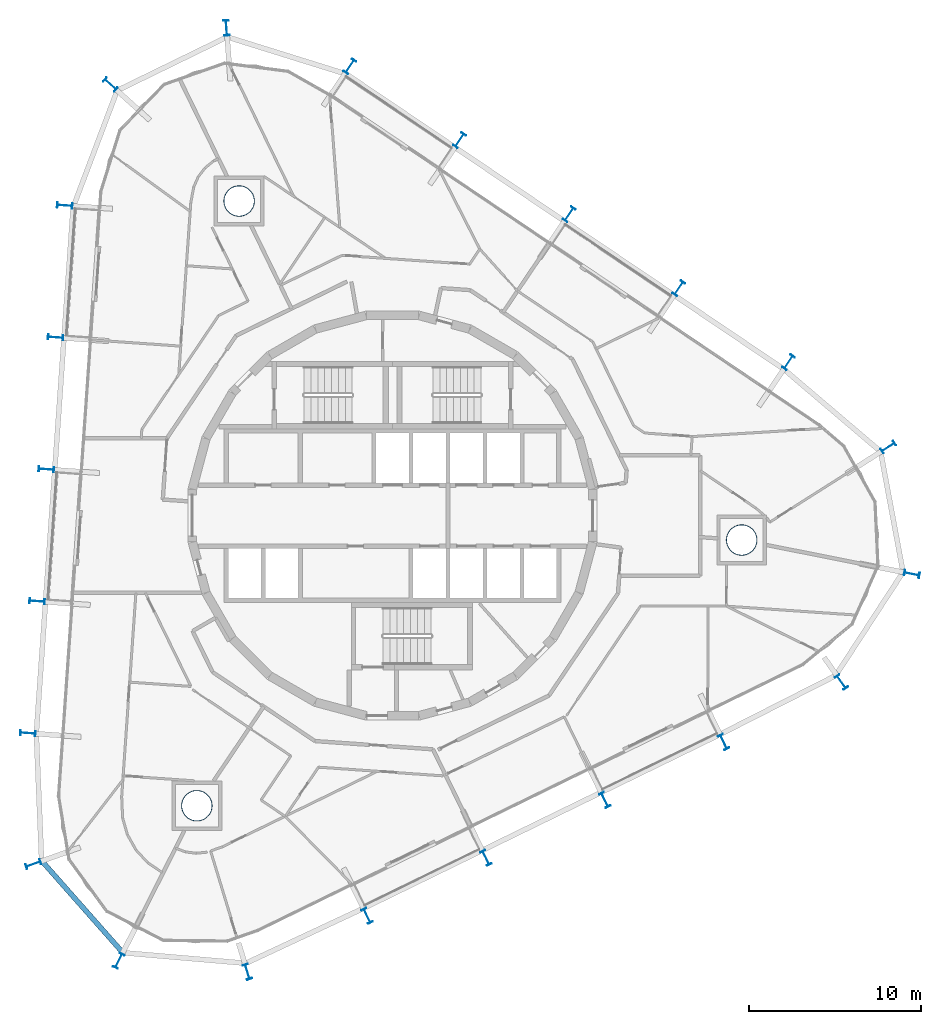
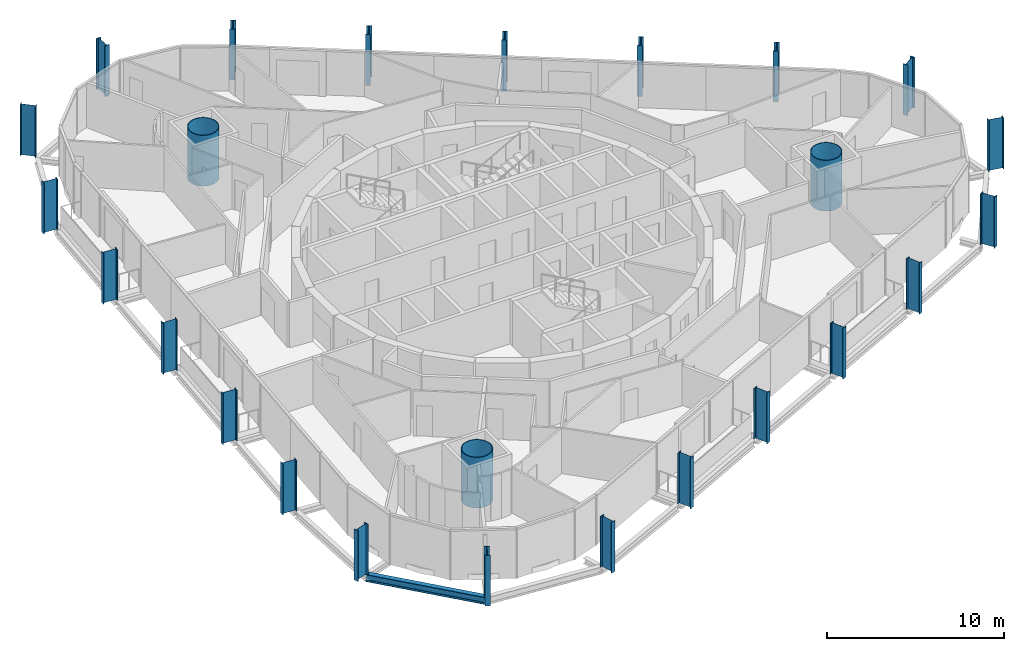
# One storey, part 1 of 17: 25 columns, 1 beam.
"""IFC4 building model written with IfcOpenShell, lengths in metres."""

from ifc_helpers import new_model, si_unit, direction, frame, origin, origin_2d, place, context, subcontext, project, spatial, hollow_circle, i_section, extrude, material, material_profile, profile_set, type_object, element, save


model = new_model("IFC4")

# Units and contexts
model_context = context("Model", 3, precision=1e-05, world=origin(), true_north=direction((0.0, 1.0)))
body_context = subcontext(model_context, "Body", "Model", "MODEL_VIEW")
ifc_project = project(units=[si_unit("LENGTHUNIT", "METRE"), si_unit("AREAUNIT", "SQUARE_METRE"), si_unit("VOLUMEUNIT", "CUBIC_METRE"), si_unit("PLANEANGLEUNIT", "RADIAN"), si_unit("MASSUNIT", "GRAM", prefix="KILO")], contexts=[model_context])

# Site, building, storey
site_placement = place(None, origin())
site = spatial("IfcSite", under=ifc_project, at=site_placement, CompositionType="ELEMENT")
building_placement = place(site_placement, origin())
building = spatial("IfcBuilding", under=site, at=building_placement, Name="Spindle Arch Residences", CompositionType="ELEMENT")
storey_placement = place(building_placement, frame((0.0, 0.0, 209.39990234375)))
storey = spatial("IfcBuildingStorey", under=building, at=storey_placement, Name="L53", CompositionType="ELEMENT", Elevation=209.39990234375)

# Columns
ifc_material_1 = material(Name="Steel S460ML, intumescent coating R 240", Category="steel")
ifc_material_profile_1 = material_profile(ifc_material_1, i_section(OverallWidth=0.300048828125, OverallDepth=0.89990234375, WebThickness=0.0185546875, FlangeThickness=0.034912109375, FilletRadius=0.030029296875, at=origin_2d()), Name="HEB 900")
ifc_profile_set_1 = profile_set([ifc_material_profile_1], Name="Steel S460ML, intumescent coating R 240")
column_type_1 = type_object("IfcColumnType", Name="Exoskeleton post HEB 900", PredefinedType="COLUMN", material=ifc_profile_set_1)
for number, where, z_axis, x_axis, name in (
    (1, (12.347900390625, -16.5419921875, -0.3798828125), (0.0, 0.0, 1.0), (-0.898794095235, -0.438371046456, 0.0), "Exoskeleton post 1"),
    (2, (19.26318359375, -13.169189453125, -0.3798828125), (0.0, 0.0, 1.0), (-0.898794095235, -0.438371046456, 0.0), "Exoskeleton post 2"),
    (3, (26.11669921875, -9.685546875, -0.3798828125), (0.0, 0.0, 1.0), (-0.818345137662, -0.574727096686, 0.0), "Exoskeleton post 3"),
    (4, (30.217041015625, -3.39501953125, -0.3798828125), (0.0, 0.0, 1.0), (-0.195504943379, -0.980702715972, 0.0), "Exoskeleton post 4"),
    (5, (28.84228515625, 3.9873046875, -0.3798828125), (0.0, 0.0, 1.0), (0.535400283339, -0.844598446956, 0.0), "Exoskeleton post 5"),
    (6, (23.03466796875, 8.926025390625, -0.3798828125), (0.0, 0.0, 1.0), (0.829037661466, -0.559192771654, 0.0), "Exoskeleton post 6"),
    (7, (16.65625, 13.228271484375, -0.3798828125), (0.0, 0.0, 1.0), (0.829037661466, -0.559192771654, 0.0), "Exoskeleton post 7"),
    (8, (10.27783203125, 17.530517578125, -0.3798828125), (0.0, 0.0, 1.0), (0.829037661466, -0.559192771654, 0.0), "Exoskeleton post 8"),
    (9, (3.8994140625, 21.832763671875, -0.3798828125), (0.0, 0.0, 1.0), (0.829037661466, -0.559192771654, 0.0), "Exoskeleton post 9"),
    (10, (-2.47900390625, 26.135009765625, -0.3798828125), (0.0, 0.0, 1.0), (0.829037661466, -0.559192771654, 0.0), "Exoskeleton post 10"),
    (11, (-9.66162109375, 28.3740234375, -0.3798828125), (0.0, 0.0, 1.0), (0.997343345089, 0.072844025201, 0.0), "Exoskeleton post 11"),
    (12, (-16.41064453125, 25.082275390625, -0.3798828125), (0.0, 0.0, 1.0), (0.671427897912, 0.741069887329, 0.0), "Exoskeleton post 12"),
    (13, (-19.068603515625, 18.043701171875, -0.3798828125), (0.0, 0.0, 1.0), (0.069756005795, 0.997564082982, 0.0), "Exoskeleton post 13"),
    (14, (-19.605224609375, 10.368896484375, -0.3798828125), (0.0, 0.0, 1.0), (0.069756005795, 0.997564082982, 0.0), "Exoskeleton post 14"),
    (15, (-20.141845703125, 2.69384765625, -0.3798828125), (0.0, 0.0, 1.0), (0.069756005795, 0.997564082982, 0.0), "Exoskeleton post 15"),
    (16, (-20.6787109375, -4.981201171875, -0.3798828125), (0.0, 0.0, 1.0), (0.069756005795, 0.997564082982, 0.0), "Exoskeleton post 16"),
    (17, (-21.21533203125, -12.656005859375, -0.3798828125), (0.0, 0.0, 1.0), (0.069756005795, 0.997564082982, 0.0), "Exoskeleton post 17"),
    (18, (-20.899169921875, -20.273193359375, -0.3798828125), (0.0, 0.0, 1.0), (-0.335927007751, 0.941888021722, 0.0), "Exoskeleton post 18"),
    (19, (-15.92822265625, -25.901611328125, -0.3798828125), (0.0, 0.0, 1.0), (-0.893169071277, 0.449721035881, 0.0), "Exoskeleton post 19"),
    (20, (-8.446533203125, -26.543212890625, -0.3798828125), (0.0, 0.0, 1.0), (-0.956714575216, -0.291027870778, 0.0), "Exoskeleton post 20"),
    (21, (-1.482177734375, -23.287353515625, -0.3798828125), (0.0, 0.0, 1.0), (-0.898794095235, -0.438371046456, 0.0), "Exoskeleton post 21"),
    (22, (5.43310546875, -19.91455078125, -0.3798828125), (0.0, 0.0, 1.0), (-0.898794095235, -0.438371046456, 0.0), "Exoskeleton post 22"),
):
    element("IfcColumn", number, at=place(storey_placement, frame(where, z_axis=z_axis, x_axis=x_axis)), inside=storey, type_object=column_type_1, Name=name, PredefinedType="COLUMN", context=body_context, shape_type="SweptSolid", body=[
        extrude(i_section(OverallWidth=0.300048828125, OverallDepth=0.89990234375, WebThickness=0.0185546875, FlangeThickness=0.034912109375, FilletRadius=0.030029296875, at=origin_2d()), origin(), (0.0, 0.0, 1.0), 3.5),
    ])
ifc_material_2 = material(Name="Concrete C50/60 filled steel tube S460ML, intumescent coating R 240", Category="concrete")
ifc_material_profile_2 = material_profile(ifc_material_2, hollow_circle(Radius=0.89990234375, WallThickness=0.0400390625, at=origin_2d()), Name="CFT D1800x40")
ifc_profile_set_2 = profile_set([ifc_material_profile_2], Name="Concrete C50/60 filled steel tube S460ML, intumescent coating R 240")
column_type_2 = type_object("IfcColumnType", Name="Mega-column CFT D1800x40", PredefinedType="COLUMN", material=ifc_profile_set_2)
for number, where, z_axis, x_axis, name in (
    (23, (20.31201171875, -1.42041015625, -0.3798828125), (0.0, 0.0, 1.0), (1.0, 0.0, 0.0), "Mega-column 1"),
    (24, (-8.92578125, 18.30078125, -0.3798828125), (0.0, 0.0, 1.0), (1.0, 0.0, 0.0), "Mega-column 2"),
    (25, (-11.385986328125, -16.880615234375, -0.3798828125), (0.0, 0.0, 1.0), (1.0, 0.0, 0.0), "Mega-column 3"),
):
    element("IfcColumn", number, at=place(storey_placement, frame(where, z_axis=z_axis, x_axis=x_axis)), inside=storey, type_object=column_type_2, Name=name, PredefinedType="COLUMN", context=body_context, shape_type="SweptSolid", body=[
        extrude(hollow_circle(Radius=0.89990234375, WallThickness=0.0400390625, at=origin_2d()), origin(), (0.0, 0.0, 1.0), 3.5),
    ])

# Beam
ifc_material_3 = material(Name="Steel S460ML, intumescent coating R 120", Category="steel")
ifc_material_profile_3 = material_profile(ifc_material_3, i_section(OverallWidth=0.300048828125, OverallDepth=0.5, WebThickness=0.014404296875, FlangeThickness=0.028076171875, FilletRadius=0.027099609375, at=origin_2d()), Name="HEB 500")
ifc_profile_set_3 = profile_set([ifc_material_profile_3], Name="Steel S460ML, intumescent coating R 120")
beam_type = type_object("IfcBeamType", Name="Exoskeleton edge beam HEB 500", PredefinedType="BEAM", material=ifc_profile_set_3)
beam_placement = place(storey_placement, frame((-20.44580078125, -20.04638671875, -0.6298828125), z_axis=(0.661985798565, -0.749516379073, 0.0), x_axis=(0.749516379073, 0.661985798565, 0.0)))
element("IfcBeam", 26, at=beam_placement, inside=storey, type_object=beam_type, Name="Exoskeleton edge beam 18", PredefinedType="BEAM", context=body_context, shape_type="SweptSolid", body=[
    extrude(i_section(OverallWidth=0.300048828125, OverallDepth=0.5, WebThickness=0.014404296875, FlangeThickness=0.028076171875, FilletRadius=0.027099609375, at=origin_2d()), origin(), (0.0, 0.0, 1.0), 7.2490234375),
])

save(model, "model.ifc")
